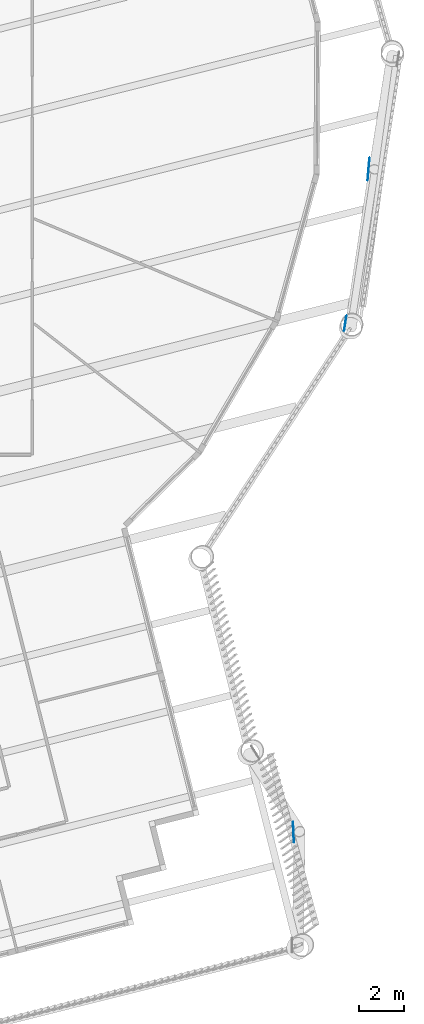
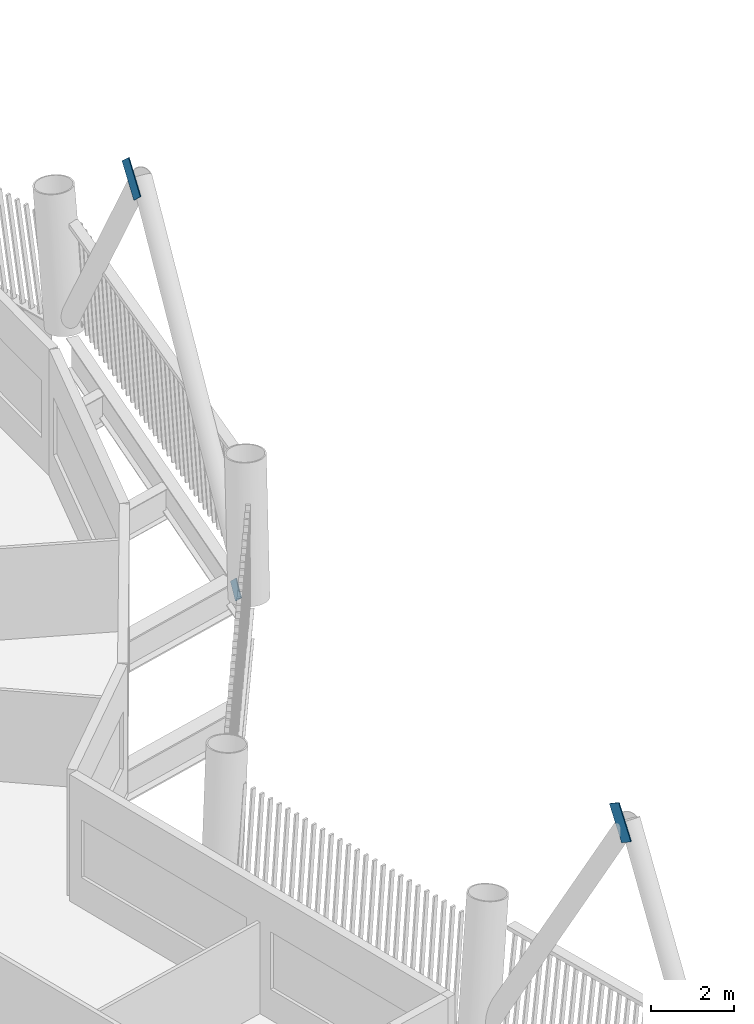
# One storey, part 9 of 22: 3 discrete accessories.
"""IFC4 building model written with IfcOpenShell, lengths in metres."""

from ifc_helpers import new_model, si_unit, direction, frame, origin, origin_2d, place, context, subcontext, project, spatial, rectangle, extrude, material, material_profile, profile_set, type_object, element, save


model = new_model("IFC4")

# Units and contexts
model_context = context("Model", 3, precision=1e-05, world=origin(), true_north=direction((0.0, 1.0)))
body_context = subcontext(model_context, "Body", "Model", "MODEL_VIEW")
ifc_project = project(units=[si_unit("LENGTHUNIT", "METRE"), si_unit("AREAUNIT", "SQUARE_METRE"), si_unit("VOLUMEUNIT", "CUBIC_METRE"), si_unit("PLANEANGLEUNIT", "RADIAN"), si_unit("MASSUNIT", "GRAM", prefix="KILO")], contexts=[model_context])

# Site, building, storey
site_placement = place(None, origin())
site = spatial("IfcSite", under=ifc_project, at=site_placement, CompositionType="ELEMENT")
building_placement = place(site_placement, origin())
building = spatial("IfcBuilding", under=site, at=building_placement, Name="Tarsis Ring Headquarters", CompositionType="ELEMENT")
storey_placement = place(building_placement, frame((0.0, 0.0, 286.39990234375)))
storey = spatial("IfcBuildingStorey", under=building, at=storey_placement, Name="L67", CompositionType="ELEMENT", Elevation=286.39990234375)

# Discrete accessories
ifc_material = material(Name="Structural steel S355", Category="steel")
ifc_material_profile = material_profile(ifc_material, rectangle(XDim=0.02490234375, YDim=0.5, at=origin_2d()), Name="PL 25x500")
ifc_profile_set = profile_set([ifc_material_profile], Name="Structural steel S355")
discrete_accessory_type = type_object("IfcDiscreteAccessoryType", Name="Gusset plate Exo brace 25", PredefinedType="BRACKET", material=ifc_profile_set)
discrete_accessory_1_placement = place(storey_placement, frame((24.612060546875, -33.01904296875, 7.382568359375), z_axis=(-0.025389487, 0.54978004543, 0.834923514818), x_axis=(-0.998935352292, -0.046132005612, 0.0)))
element("IfcDiscreteAccessory", 1, at=discrete_accessory_1_placement, inside=storey, type_object=discrete_accessory_type, Name="Gusset plate GP5", PredefinedType="BRACKET", context=body_context, shape_type="SweptSolid", body=[
    extrude(rectangle(XDim=0.02490234375, YDim=0.5, at=origin_2d()), origin(), (0.0, 0.0, 1.0), 1.0),
])
discrete_accessory_2_placement = place(storey_placement, frame((26.872314453125, -10.326416015625, 0.0), z_axis=(0.101062906652, 0.666429311978, 0.738686849101), x_axis=(-0.988695989935, 0.149934117155, 0.0)))
element("IfcDiscreteAccessory", 2, at=discrete_accessory_2_placement, inside=storey, type_object=discrete_accessory_type, Name="Gusset plate GP5", PredefinedType="BRACKET", context=body_context, shape_type="SweptSolid", body=[
    extrude(rectangle(XDim=0.02490234375, YDim=0.5, at=origin_2d()), origin(), (0.0, 0.0, 1.0), 0.5),
])
discrete_accessory_3_placement = place(storey_placement, frame((27.905517578125, -3.64453125, 7.43115234375), z_axis=(0.056885474273, 0.672615800952, 0.737802159882), x_axis=(-0.996442732972, 0.08427265219, 0.0)))
element("IfcDiscreteAccessory", 3, at=discrete_accessory_3_placement, inside=storey, type_object=discrete_accessory_type, Name="Gusset plate GP5", PredefinedType="BRACKET", context=body_context, shape_type="SweptSolid", body=[
    extrude(rectangle(XDim=0.02490234375, YDim=0.5, at=origin_2d()), origin(), (0.0, 0.0, 1.0), 1.0),
])

save(model, "model.ifc")
